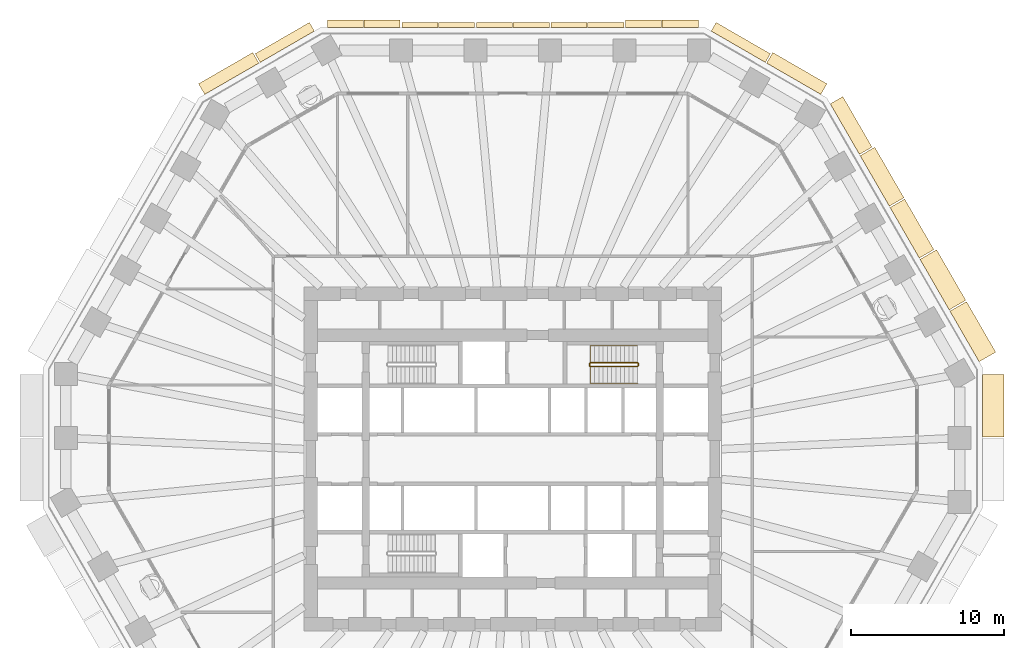
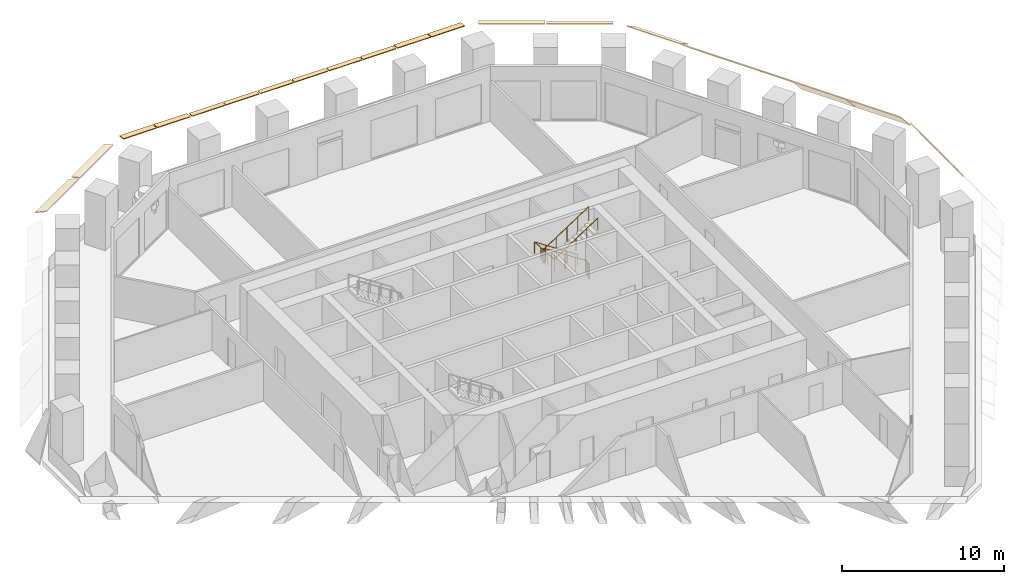
# One storey, part 10 of 12: 20 coverings, 2 railings.
"""IFC4 building model written with IfcOpenShell, lengths in metres."""

from ifc_helpers import new_model, si_unit, direction, frame, origin, origin_2d, place, context, subcontext, project, spatial, polyline, circle, outline, extrude, material, layer, layer_set, type_object, element, save


model = new_model("IFC4")

# Units and contexts
model_context = context("Model", 3, precision=1e-05, world=origin(), true_north=direction((0.0, 1.0)))
body_context = subcontext(model_context, "Body", "Model", "MODEL_VIEW")
ifc_project = project(units=[si_unit("LENGTHUNIT", "METRE"), si_unit("AREAUNIT", "SQUARE_METRE"), si_unit("VOLUMEUNIT", "CUBIC_METRE"), si_unit("PLANEANGLEUNIT", "RADIAN"), si_unit("MASSUNIT", "GRAM", prefix="KILO")], contexts=[model_context])

# Site, building, storey
site_placement = place(None, origin())
site = spatial("IfcSite", under=ifc_project, at=site_placement, CompositionType="ELEMENT")
building_placement = place(site_placement, origin())
building = spatial("IfcBuilding", under=site, at=building_placement, Name="Frailejon Research Tower", CompositionType="ELEMENT")
storey_placement = place(building_placement, frame((0.0, 0.0, 63.0)))
storey = spatial("IfcBuildingStorey", under=building, at=storey_placement, Name="L14", CompositionType="ELEMENT", Elevation=63.0)

# Coverings
ifc_material_1 = material(Name="Precast concrete C50/60", Category="concrete")
ifc_layer_1 = layer(ifc_material_1, 0.06005859375)
ifc_layer_set_1 = layer_set([ifc_layer_1], Name="Brim blade depth 1100")
covering_type_1 = type_object("IfcCoveringType", Name="Brim blade depth 1100", PredefinedType="CLADDING", material=ifc_layer_set_1)
for number, where, z_axis, x_axis, name in (
    (1, (24.666259765625, 16.4423828125, 4.25), (0.500001217064, -0.866024701111, 0.0), (0.866024701111, 0.500001217064, 0.0), "Brim blade L14"),
    (2, (22.7099609375, 19.830810546875, 4.25), (0.500001217064, -0.866024701111, 0.0), (0.866024701111, 0.500001217064, 0.0), "Brim blade L14"),
):
    element("IfcCovering", number, at=place(storey_placement, frame(where, z_axis=z_axis, x_axis=x_axis)), inside=storey, type_object=covering_type_1, Name=name, PredefinedType="CLADDING", context=body_context, shape_type="SweptSolid", body=[
        extrude(outline(polyline([(0.0, -0.078369140625), (1.10009765625, -1.001220703125), (1.10009765625, -0.923095703125), (0.0, 0.0), (0.0, -0.078369140625)])), origin(), (0.0, 0.0, 1.0), 3.8125),
    ])
ifc_material_2 = material(Name="Precast concrete C50/60", Category="concrete")
ifc_layer_2 = layer(ifc_material_2, 0.06005859375)
ifc_layer_set_2 = layer_set([ifc_layer_2], Name="Brim blade depth 1250")
covering_type_2 = type_object("IfcCoveringType", Name="Brim blade depth 1250", PredefinedType="CLADDING", material=ifc_layer_set_2)
covering_1_placement = place(storey_placement, frame((28.578857421875, 9.665283203125, 4.25), z_axis=(0.500001217064, -0.866024701111, 0.0), x_axis=(0.866024701111, 0.500001217064, 0.0)))
element("IfcCovering", 3, at=covering_1_placement, inside=storey, type_object=covering_type_2, Name="Brim blade L14", PredefinedType="CLADDING", context=body_context, shape_type="SweptSolid", body=[
    extrude(outline(polyline([(0.0, -0.0888671875), (1.25, -1.452880859375), (1.25, -1.364013671875), (0.0, 0.0), (0.0, -0.0888671875)])), origin(), (0.0, 0.0, 1.0), 3.8125),
])
covering_2_placement = place(storey_placement, frame((26.62255859375, 13.053955078125, 4.25), z_axis=(0.499990149831, -0.866031090707, 0.0), x_axis=(0.866031090707, 0.499990149831, 0.0)))
element("IfcCovering", 4, at=covering_2_placement, inside=storey, type_object=covering_type_2, Name="Brim blade L14", PredefinedType="CLADDING", context=body_context, shape_type="SweptSolid", body=[
    extrude(outline(polyline([(0.0, -0.0888671875), (1.25, -1.452880859375), (1.25, -1.364013671875), (0.0, 0.0), (0.0, -0.0888671875)])), origin(), (0.0, 0.0, 1.0), 3.812744140625),
])
ifc_material_3 = material(Name="Precast concrete C50/60", Category="concrete")
ifc_layer_3 = layer(ifc_material_3, 0.06005859375)
ifc_layer_set_3 = layer_set([ifc_layer_3], Name="Brim blade depth 1400")
covering_type_3 = type_object("IfcCoveringType", Name="Brim blade depth 1400", PredefinedType="CLADDING", material=ifc_layer_set_3)
covering_3_placement = place(storey_placement, frame((30.711181640625, 5.520263671875, 4.25), z_axis=(0.0, -1.0, 0.0), x_axis=(1.0, 0.0, 0.0)))
element("IfcCovering", 5, at=covering_3_placement, inside=storey, type_object=covering_type_3, Name="Brim blade L14", PredefinedType="CLADDING", context=body_context, shape_type="SweptSolid", body=[
    extrude(outline(polyline([(0.0, -0.1044921875), (1.39990234375, -2.10400390625), (1.39990234375, -1.99951171875), (0.0, 0.0), (0.0, -0.1044921875)])), origin(), (0.0, 0.0, 1.0), 4.08740234375),
])
ifc_material_4 = material(Name="Precast concrete C50/60", Category="concrete")
ifc_layer_4 = layer(ifc_material_4, 0.06005859375)
ifc_layer_set_4 = layer_set([ifc_layer_4], Name="Brim blade depth 350")
covering_type_4 = type_object("IfcCoveringType", Name="Brim blade depth 350", PredefinedType="CLADDING", material=ifc_layer_set_4)
for number, where, z_axis, x_axis, name in (
    (6, (4.900634765625, 28.199951171875, 4.25), (1.0, 0.0, 0.0), (0.0, 1.0, 0.0), "Brim blade L14"),
    (7, (2.4853515625, 28.199951171875, 4.25), (1.0, 0.0, 0.0), (0.0, 1.0, 0.0), "Brim blade L14"),
    (8, (0.030029296875, 28.199951171875, 4.25), (1.0, 0.0, 0.0), (0.0, 1.0, 0.0), "Brim blade L14"),
    (9, (-2.38525390625, 28.199951171875, 4.25), (1.0, 0.0, 0.0), (0.0, 1.0, 0.0), "Brim blade L14"),
    (10, (-4.840576171875, 28.199951171875, 4.25), (1.0, 0.0, 0.0), (0.0, 1.0, 0.0), "Brim blade L14"),
    (11, (-7.255859375, 28.199951171875, 4.25), (1.0, 0.0, 0.0), (0.0, 1.0, 0.0), "Brim blade L14"),
):
    element("IfcCovering", number, at=place(storey_placement, frame(where, z_axis=z_axis, x_axis=x_axis)), inside=storey, type_object=covering_type_4, Name=name, PredefinedType="CLADDING", context=body_context, shape_type="SweptSolid", body=[
        extrude(outline(polyline([(0.0, -0.06005859375), (0.35009765625, -0.06005859375), (0.35009765625, 0.0), (0.0, 0.0), (0.0, -0.06005859375)])), origin(), (0.0, 0.0, 1.0), 2.355224609375),
    ])
ifc_material_5 = material(Name="Precast concrete C50/60", Category="concrete")
ifc_layer_5 = layer(ifc_material_5, 0.06005859375)
ifc_layer_set_5 = layer_set([ifc_layer_5], Name="Brim blade depth 500")
covering_type_5 = type_object("IfcCoveringType", Name="Brim blade depth 500", PredefinedType="CLADDING", material=ifc_layer_set_5)
for number, where, z_axis, x_axis, name in (
    (12, (9.771240234375, 28.199951171875, 4.25), (1.0, 0.0, 0.0), (0.0, 1.0, 0.0), "Brim blade L14"),
    (13, (7.35595703125, 28.199951171875, 4.25), (1.0, 0.0, 0.0), (0.0, 1.0, 0.0), "Brim blade L14"),
    (14, (-9.711181640625, 28.199951171875, 4.25), (1.0, 0.0, 0.0), (0.0, 1.0, 0.0), "Brim blade L14"),
    (15, (-12.12646484375, 28.199951171875, 4.25), (1.0, 0.0, 0.0), (0.0, 1.0, 0.0), "Brim blade L14"),
):
    element("IfcCovering", number, at=place(storey_placement, frame(where, z_axis=z_axis, x_axis=x_axis)), inside=storey, type_object=covering_type_5, Name=name, PredefinedType="CLADDING", context=body_context, shape_type="SweptSolid", body=[
        extrude(outline(polyline([(0.0, -0.060546875), (0.5, -0.130859375), (0.5, -0.0703125), (0.0, 0.0), (0.0, -0.060546875)])), origin(), (0.0, 0.0, 1.0), 2.355224609375),
    ])
ifc_material_6 = material(Name="Precast concrete C50/60", Category="concrete")
ifc_layer_6 = layer(ifc_material_6, 0.06005859375)
ifc_layer_set_6 = layer_set([ifc_layer_6], Name="Brim blade depth 650")
covering_type_6 = type_object("IfcCoveringType", Name="Brim blade depth 650", PredefinedType="CLADDING", material=ifc_layer_set_6)
for number, where, z_axis, x_axis, name in (
    (16, (12.9697265625, 27.97412109375, 4.25), (0.866027315287, -0.499996689166, 0.0), (0.499996689166, 0.866027315287, 0.0), "Brim blade L14"),
    (17, (-16.509765625, 25.93017578125, 4.25), (0.866027315287, 0.499996689166, 0.0), (-0.499996689166, 0.866027315287, 0.0), "Brim blade L14"),
):
    element("IfcCovering", number, at=place(storey_placement, frame(where, z_axis=z_axis, x_axis=x_axis)), inside=storey, type_object=covering_type_6, Name=name, PredefinedType="CLADDING", context=body_context, shape_type="SweptSolid", body=[
        extrude(outline(polyline([(0.0, -0.0625), (0.64990234375, -0.248779296875), (0.64990234375, -0.186279296875), (0.0, 0.0), (0.0, -0.0625)])), origin(), (0.0, 0.0, 1.0), 4.087646484375),
    ])
ifc_material_7 = material(Name="Precast concrete C50/60", Category="concrete")
ifc_layer_7 = layer(ifc_material_7, 0.06005859375)
ifc_layer_set_7 = layer_set([ifc_layer_7], Name="Brim blade depth 800")
covering_type_7 = type_object("IfcCoveringType", Name="Brim blade depth 800", PredefinedType="CLADDING", material=ifc_layer_set_7)
for number, where, z_axis, x_axis, name in (
    (18, (16.596435546875, 25.880126953125, 4.25), (0.866021344981, -0.500007029989, 0.0), (0.500007029989, 0.866021344981, 0.0), "Brim blade L14"),
    (19, (-20.13623046875, 23.83642578125, 4.25), (0.866021344981, 0.500007029989, 0.0), (-0.500007029989, 0.866021344981, 0.0), "Brim blade L14"),
):
    element("IfcCovering", number, at=place(storey_placement, frame(where, z_axis=z_axis, x_axis=x_axis)), inside=storey, type_object=covering_type_7, Name=name, PredefinedType="CLADDING", context=body_context, shape_type="SweptSolid", body=[
        extrude(outline(polyline([(0.0, -0.065673828125), (0.800048828125, -0.421875), (0.800048828125, -0.356201171875), (0.0, 0.0), (0.0, -0.065673828125)])), origin(), (0.0, 0.0, 1.0), 4.08740234375),
    ])
ifc_material_8 = material(Name="Precast concrete C50/60", Category="concrete")
ifc_layer_8 = layer(ifc_material_8, 0.06005859375)
ifc_layer_set_8 = layer_set([ifc_layer_8], Name="Brim blade depth 950")
covering_type_8 = type_object("IfcCoveringType", Name="Brim blade depth 950", PredefinedType="CLADDING", material=ifc_layer_set_8)
covering_4_placement = place(storey_placement, frame((20.753662109375, 23.218994140625, 4.25), z_axis=(0.500001217064, -0.866024701111, 0.0), x_axis=(0.866024701111, 0.500001217064, 0.0)))
element("IfcCovering", 20, at=covering_4_placement, inside=storey, type_object=covering_type_8, Name="Brim blade L14", PredefinedType="CLADDING", context=body_context, shape_type="SweptSolid", body=[
    extrude(outline(polyline([(0.0, -0.07080078125), (0.949951171875, -0.664306640625), (0.949951171875, -0.593505859375), (0.0, 0.0), (0.0, -0.07080078125)])), origin(), (0.0, 0.0, 1.0), 3.8125),
])

# Railings
ifc_material_9 = material(Name="Stainless steel", Category="steel")
railing_type_1 = type_object("IfcRailingType", Name="Stair guard 1100", PredefinedType="GUARDRAIL", material=ifc_material_9)
railing_1_placement = place(storey_placement, frame((8.199951171875, 6.10009765625, 0.0)))
element("IfcRailing", 21, at=railing_1_placement, inside=storey, type_object=railing_type_1, Name="L14 ST3 stair guard 1", PredefinedType="GUARDRAIL", context=body_context, shape_type="SweptSolid", body=[
    extrude(circle(Radius=0.02392578125, at=origin_2d()), frame((0.0, 0.0, 1.076171875), z_axis=(0.0, 1.0, 0.0), x_axis=(-1.0, 0.0, 0.0)), (0.0, 0.0, 1.0), 0.14990234375),
    extrude(circle(Radius=0.02392578125, at=origin_2d()), frame((0.0, 0.14990234375, 1.076171875), z_axis=(-0.254653276557, 0.254653276557, 0.932900539971), x_axis=(-0.707106781187, -0.707106781187, 0.0)), (0.0, 0.0, 1.0), 0.196533203125),
    extrude(circle(Radius=0.02392578125, at=origin_2d()), frame((-0.050048828125, 0.199951171875, 1.25927734375), z_axis=(-0.836613101238, 0.0, 0.547794230379), x_axis=(0.0, -1.0, 0.0)), (0.0, 0.0, 1.0), 3.681396484375),
    extrude(circle(Radius=0.02392578125, at=origin_2d()), frame((-3.1298828125, 0.199951171875, 3.27587890625), z_axis=(-0.707106781187, -0.707106781187, 0.0), x_axis=(0.707106781187, -0.707106781187, 0.0)), (0.0, 0.0, 1.0), 0.07080078125),
    extrude(circle(Radius=0.02392578125, at=origin_2d()), frame((-3.179931640625, 0.14990234375, 3.27587890625), z_axis=(0.0, -1.0, 0.0), x_axis=(1.0, 0.0, 0.0)), (0.0, 0.0, 1.0), 0.14990234375),
    extrude(circle(Radius=0.02392578125, at=origin_2d()), frame((-3.179931640625, 0.0, 3.27587890625), z_axis=(0.254653276557, -0.254653276557, 0.932900539971), x_axis=(0.707106781187, 0.707106781187, 0.0)), (0.0, 0.0, 1.0), 0.196533203125),
    extrude(circle(Radius=0.02392578125, at=origin_2d()), frame((-3.1298828125, -0.050048828125, 3.45947265625), z_axis=(0.836613101238, 0.0, 0.547794230379), x_axis=(0.0, 1.0, 0.0)), (0.0, 0.0, 1.0), 3.681396484375),
    extrude(circle(Radius=0.02099609375, at=origin_2d()), origin(), (0.0, 0.0, 1.0), 1.052001953125),
    extrude(circle(Radius=0.02099609375, at=origin_2d()), frame((0.0, 0.14990234375, 0.0)), (0.0, 0.0, 1.0), 1.052001953125),
    extrude(circle(Radius=0.02099609375, at=origin_2d()), frame((-0.050048828125, 0.199951171875, 0.183349609375)), (0.0, 0.0, 1.0), 1.052001953125),
    extrude(circle(Radius=0.02099609375, at=origin_2d()), frame((-0.820068359375, 0.199951171875, 0.6875)), (0.0, 0.0, 1.0), 1.052001953125),
    extrude(circle(Radius=0.02099609375, at=origin_2d()), frame((-1.58984375, 0.199951171875, 1.191650390625)), (0.0, 0.0, 1.0), 1.052001953125),
    extrude(circle(Radius=0.02099609375, at=origin_2d()), frame((-2.35986328125, 0.199951171875, 1.69580078125)), (0.0, 0.0, 1.0), 1.052001953125),
    extrude(circle(Radius=0.02099609375, at=origin_2d()), frame((-3.1298828125, 0.199951171875, 2.199951171875)), (0.0, 0.0, 1.0), 1.052001953125),
    extrude(circle(Radius=0.02099609375, at=origin_2d()), frame((-3.179931640625, 0.14990234375, 2.199951171875)), (0.0, 0.0, 1.0), 1.052001953125),
    extrude(circle(Radius=0.02099609375, at=origin_2d()), frame((-3.179931640625, 0.0, 2.199951171875)), (0.0, 0.0, 1.0), 1.052001953125),
    extrude(circle(Radius=0.02099609375, at=origin_2d()), frame((-3.1298828125, -0.050048828125, 2.38330078125)), (0.0, 0.0, 1.0), 1.052001953125),
    extrude(circle(Radius=0.02099609375, at=origin_2d()), frame((-2.35986328125, -0.050048828125, 2.887451171875)), (0.0, 0.0, 1.0), 1.052001953125),
    extrude(circle(Radius=0.02099609375, at=origin_2d()), frame((-1.58984375, -0.050048828125, 3.3916015625)), (0.0, 0.0, 1.0), 1.052001953125),
    extrude(circle(Radius=0.02099609375, at=origin_2d()), frame((-0.820068359375, -0.050048828125, 3.895751953125)), (0.0, 0.0, 1.0), 1.052001953125),
    extrude(circle(Radius=0.02099609375, at=origin_2d()), frame((-0.050048828125, -0.050048828125, 4.39990234375)), (0.0, 0.0, 1.0), 1.052001953125),
])
ifc_material_10 = material(Name="Stainless steel", Category="steel")
railing_type_2 = type_object("IfcRailingType", Name="Stair handrail 900", PredefinedType="HANDRAIL", material=ifc_material_10)
railing_2_placement = place(storey_placement, frame((8.14990234375, 7.39990234375, 0.183349609375)))
element("IfcRailing", 22, at=railing_2_placement, inside=storey, type_object=railing_type_2, Name="L14 ST3 stair handrail 1", PredefinedType="HANDRAIL", context=body_context, shape_type="SweptSolid", body=[
    extrude(circle(Radius=0.02392578125, at=origin_2d()), frame((0.0, 0.0, 0.8759765625), z_axis=(-0.836613101238, 0.0, 0.547794230379), x_axis=(0.0, -1.0, 0.0)), (0.0, 0.0, 1.0), 3.681396484375),
    extrude(circle(Radius=0.02392578125, at=origin_2d()), frame((-3.079833984375, 0.0, 2.892578125), z_axis=(0.0, -0.99721134034, 0.074629368868), x_axis=(1.0, 0.0, 0.0)), (0.0, 0.0, 1.0), 2.456787109375),
    extrude(circle(Radius=0.02392578125, at=origin_2d()), frame((-3.079833984375, -2.449951171875, 3.07568359375), z_axis=(0.836613101238, 0.0, 0.547794230379), x_axis=(0.0, 1.0, 0.0)), (0.0, 0.0, 1.0), 3.681396484375),
    extrude(circle(Radius=0.02099609375, at=origin_2d()), origin(), (0.0, 0.0, 1.0), 0.851806640625),
    extrude(circle(Radius=0.02099609375, at=origin_2d()), frame((-0.77001953125, 0.0, 0.504150390625)), (0.0, 0.0, 1.0), 0.851806640625),
    extrude(circle(Radius=0.02099609375, at=origin_2d()), frame((-1.5400390625, 0.0, 1.00830078125)), (0.0, 0.0, 1.0), 0.851806640625),
    extrude(circle(Radius=0.02099609375, at=origin_2d()), frame((-2.309814453125, 0.0, 1.512451171875)), (0.0, 0.0, 1.0), 0.851806640625),
    extrude(circle(Radius=0.02099609375, at=origin_2d()), frame((-3.079833984375, 0.0, 2.0166015625)), (0.0, 0.0, 1.0), 0.851806640625),
    extrude(circle(Radius=0.02099609375, at=origin_2d()), frame((-3.079833984375, -0.816650390625, 2.07763671875)), (0.0, 0.0, 1.0), 0.851806640625),
    extrude(circle(Radius=0.02099609375, at=origin_2d()), frame((-3.079833984375, -1.63330078125, 2.138916015625)), (0.0, 0.0, 1.0), 0.851806640625),
    extrude(circle(Radius=0.02099609375, at=origin_2d()), frame((-3.079833984375, -2.449951171875, 2.199951171875)), (0.0, 0.0, 1.0), 0.851806640625),
    extrude(circle(Radius=0.02099609375, at=origin_2d()), frame((-2.309814453125, -2.449951171875, 2.7041015625)), (0.0, 0.0, 1.0), 0.851806640625),
    extrude(circle(Radius=0.02099609375, at=origin_2d()), frame((-1.5400390625, -2.449951171875, 3.208251953125)), (0.0, 0.0, 1.0), 0.851806640625),
    extrude(circle(Radius=0.02099609375, at=origin_2d()), frame((-0.77001953125, -2.449951171875, 3.71240234375)), (0.0, 0.0, 1.0), 0.851806640625),
    extrude(circle(Radius=0.02099609375, at=origin_2d()), frame((0.0, -2.449951171875, 4.216552734375)), (0.0, 0.0, 1.0), 0.851806640625),
])

save(model, "model.ifc")
